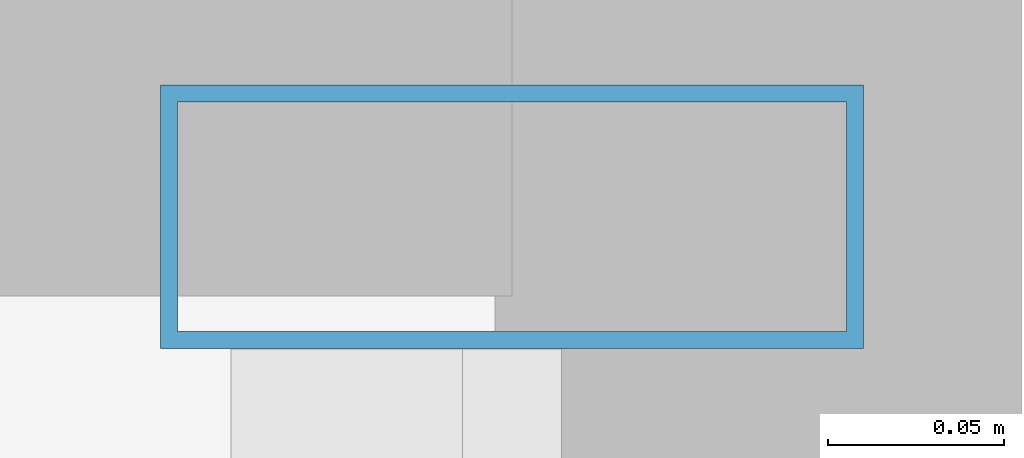
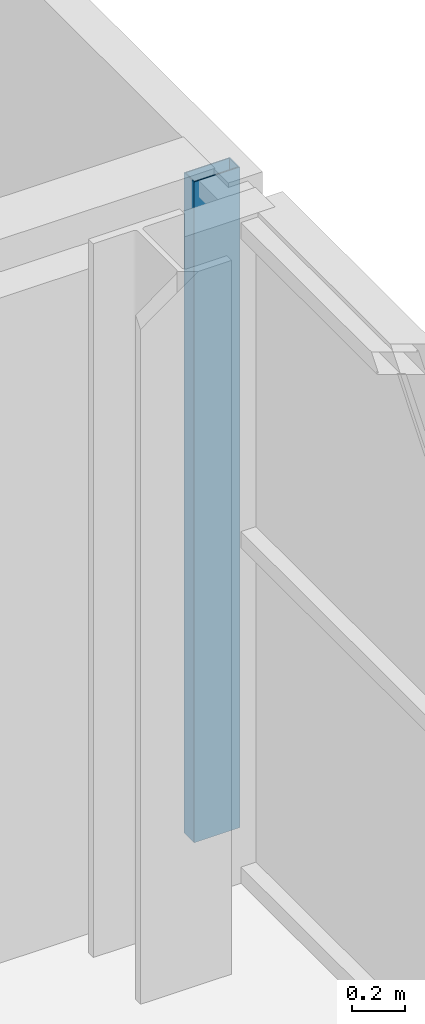
# One storey, part 14 of 23: 1 member, 1 element without a shape of its own.
"""IFC4 building model written with IfcOpenShell, lengths in metres."""

from ifc_helpers import new_model, si_unit, direction, frame, origin, origin_2d, place, context, subcontext, project, spatial, hollow_rectangle, extrude, source, transform, mapped, material, layer, layer_set, material_profile, profile_set, type_object, element, aggregate, save


model = new_model("IFC4")

# Units and contexts
model_context = context("Model", 3, precision=1e-05, world=origin(), true_north=direction((0.0, 1.0)))
body_context = subcontext(model_context, "Body", "Model", "MODEL_VIEW")
ifc_project = project(units=[si_unit("LENGTHUNIT", "METRE"), si_unit("AREAUNIT", "SQUARE_METRE"), si_unit("VOLUMEUNIT", "CUBIC_METRE"), si_unit("PLANEANGLEUNIT", "RADIAN"), si_unit("MASSUNIT", "GRAM", prefix="KILO")], contexts=[model_context])

# Site, building, storey
site_placement = place(None, origin())
site = spatial("IfcSite", under=ifc_project, at=site_placement, CompositionType="ELEMENT")
building_placement = place(site_placement, origin())
building = spatial("IfcBuilding", under=site, at=building_placement, Name="Zarnakvel Exchange Tower", CompositionType="ELEMENT")
storey_placement = place(building_placement, frame((0.0, 0.0, 175.89990234375)))
storey = spatial("IfcBuildingStorey", under=building, at=storey_placement, Name="L49", CompositionType="ELEMENT", Elevation=175.89990234375)

# Curtain wall, member
ifc_material = material(Name="Architectural Bronze Anodised Aluminium", Category="aluminium")
ifc_layer = layer(ifc_material, 0.199951171875)
ifc_layer_set = layer_set([ifc_layer], Name="Architectural Bronze Anodised Aluminium")
curtain_wall_type = type_object("IfcCurtainWallType", Name="CW-04", PredefinedType="NOTDEFINED", material=ifc_layer_set)
curtain_wall_placement = place(storey_placement, origin())
curtain_wall = element("IfcCurtainWall", 1, at=curtain_wall_placement, inside=storey, type_object=curtain_wall_type, Name="L49 Curtain Wall CW-L49-EN (CW-04)", PredefinedType="NOTDEFINED")
ifc_material_profile = material_profile(ifc_material, hollow_rectangle(XDim=0.199951171875, YDim=0.074951171875, WallThickness=0.0048828125, at=origin_2d()))
ifc_profile_set = profile_set([ifc_material_profile], Name="Architectural Bronze Anodised Aluminium")
member_type = type_object("IfcMemberType", Name="CWM-04", PredefinedType="MULLION", material=ifc_profile_set)
shared_shape = source(origin(), body_context, "Body", "SweptSolid", [
    extrude(hollow_rectangle(XDim=0.199951171875, YDim=0.074951171875, WallThickness=0.0048828125, at=origin_2d()), origin(), (0.0, 0.0, 1.0), 3.05517578125),
])
member_placement = place(storey_placement, frame((26.4599609375, 14.16259765625, 0.0), z_axis=(0.0, 0.0, 1.0), x_axis=(-1.0, 0.0, 0.0)))
member = element("IfcMember", 2, at=member_placement, type_object=member_type, Name="CW-04 mullion 3", PredefinedType="MULLION", context=body_context, shape_type="MappedRepresentation", body=[
    mapped(shared_shape, transform((0.0, 0.0, 0.0), x_axis=(1.0, 0.0, 0.0), y_axis=(0.0, 1.0, 0.0), z_axis=(0.0, 0.0, 1.0), scale=1.0)),
])
aggregate(curtain_wall, [member])

save(model, "model.ifc")
